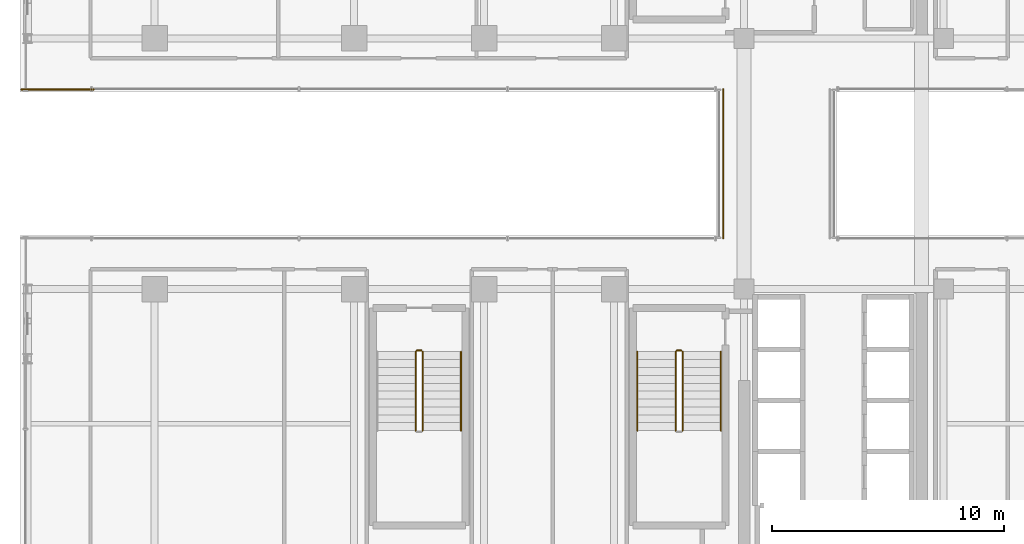
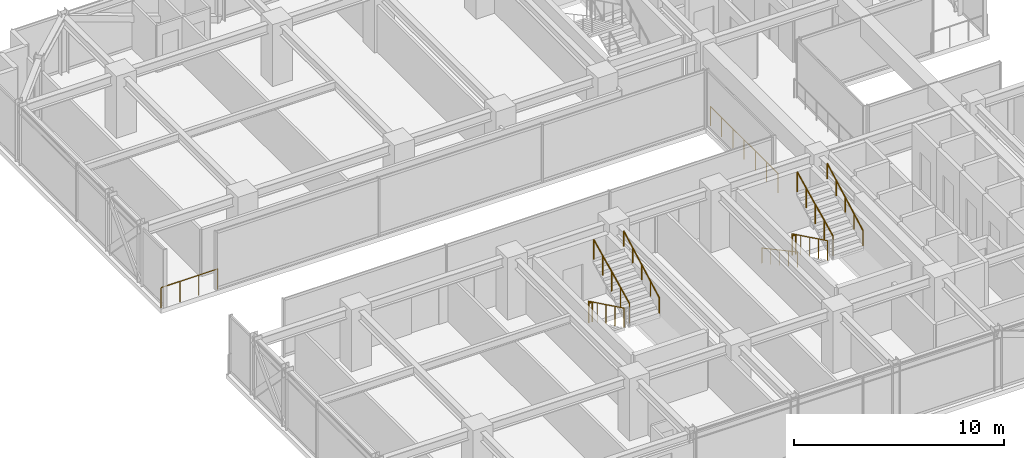
# One storey, part 36 of 38: 11 railings.
"""IFC4 building model written with IfcOpenShell, lengths in metres."""

from ifc_helpers import new_model, si_unit, direction, frame, origin, origin_2d, place, context, subcontext, project, spatial, circle, extrude, material, type_object, element, save


model = new_model("IFC4")

# Units and contexts
model_context = context("Model", 3, precision=1e-05, world=origin(), true_north=direction((0.0, 1.0)))
body_context = subcontext(model_context, "Body", "Model", "MODEL_VIEW")
ifc_project = project(units=[si_unit("LENGTHUNIT", "METRE"), si_unit("AREAUNIT", "SQUARE_METRE"), si_unit("VOLUMEUNIT", "CUBIC_METRE"), si_unit("PLANEANGLEUNIT", "RADIAN"), si_unit("MASSUNIT", "GRAM", prefix="KILO")], contexts=[model_context])

# Site, building, storey
site_placement = place(None, origin())
site = spatial("IfcSite", under=ifc_project, at=site_placement, CompositionType="ELEMENT")
building_placement = place(site_placement, origin())
building = spatial("IfcBuilding", under=site, at=building_placement, Name="Nahalor Promenade Grand Hotel", CompositionType="ELEMENT")
storey_placement = place(building_placement, frame((0.0, 0.0, 178.199951171875)))
storey = spatial("IfcBuildingStorey", under=building, at=storey_placement, Name="L45", CompositionType="ELEMENT", Elevation=178.199951171875)

# Railings
ifc_material_1 = material(Name="Anodised Bronze Aluminium EN AW-6063 T6", Category="aluminium")
railing_type_1 = type_object("IfcRailingType", Name="Bronze Balcony Guardrail 1200 mm", PredefinedType="GUARDRAIL", material=ifc_material_1)
railing_1_placement = place(storey_placement, frame((-22.739990234375, 3.199951171875, 0.0)))
element("IfcRailing", 1, at=railing_1_placement, inside=storey, type_object=railing_type_1, Name="L45 Oculus Void Edge Guardrail WN", PredefinedType="GUARDRAIL", context=body_context, shape_type="SweptSolid", body=[
    extrude(circle(Radius=0.024048, at=origin_2d()), frame((0.0, 0.0, 1.17578125), z_axis=(1.0, 0.0, 0.0), x_axis=(0.0, 1.0, 0.0)), (0.0, 0.0, 1.0), 3.119873046875),
    extrude(circle(Radius=0.020996, at=origin_2d()), origin(), (0.0, 0.0, 1.0), 1.14990234375),
    extrude(circle(Radius=0.020996, at=origin_2d()), frame((1.0400390625, 0.0, 0.0)), (0.0, 0.0, 1.0), 1.14990234375),
    extrude(circle(Radius=0.020996, at=origin_2d()), frame((2.079833984375, 0.0, 0.0)), (0.0, 0.0, 1.0), 1.14990234375),
    extrude(circle(Radius=0.020996, at=origin_2d()), frame((3.119873046875, 0.0, 0.0)), (0.0, 0.0, 1.0), 1.14990234375),
])
railing_type_2 = type_object("IfcRailingType", Name="Bronze Sky Balustrade 1150 mm", PredefinedType="BALUSTRADE", material=ifc_material_1)
railing_2_placement = place(storey_placement, frame((7.5, -3.219970703125, 0.0)))
element("IfcRailing", 2, at=railing_2_placement, inside=storey, type_object=railing_type_2, Name="BL-L45-BRG-W", PredefinedType="BALUSTRADE", context=body_context, shape_type="SweptSolid", body=[
    extrude(circle(Radius=0.024048, at=origin_2d()), frame((0.0, 0.0, 1.1259765625), z_axis=(0.0, 1.0, 0.0), x_axis=(-1.0, 0.0, 0.0)), (0.0, 0.0, 1.0), 6.43994140625),
    extrude(circle(Radius=0.020996, at=origin_2d()), origin(), (0.0, 0.0, 1.0), 1.099853515625),
    extrude(circle(Radius=0.020996, at=origin_2d()), frame((0.0, 1.0732421875, 0.0)), (0.0, 0.0, 1.0), 1.099853515625),
    extrude(circle(Radius=0.020996, at=origin_2d()), frame((0.0, 2.146728515625, 0.0)), (0.0, 0.0, 1.0), 1.099853515625),
    extrude(circle(Radius=0.020996, at=origin_2d()), frame((0.0, 3.219970703125, 0.0)), (0.0, 0.0, 1.0), 1.099853515625),
    extrude(circle(Radius=0.020996, at=origin_2d()), frame((0.0, 4.293212890625, 0.0)), (0.0, 0.0, 1.0), 1.099853515625),
    extrude(circle(Radius=0.020996, at=origin_2d()), frame((0.0, 5.36669921875, 0.0)), (0.0, 0.0, 1.0), 1.099853515625),
    extrude(circle(Radius=0.020996, at=origin_2d()), frame((0.0, 6.43994140625, 0.0)), (0.0, 0.0, 1.0), 1.099853515625),
])
ifc_material_2 = material(Name="Steel S355JR", Category="steel")
railing_type_3 = type_object("IfcRailingType", Name="Steel Stair Guardrail 1150 mm", PredefinedType="GUARDRAIL", material=ifc_material_2)
railing_3_placement = place(storey_placement, frame((5.449951171875, -8.10009765625, 0.166015625)))
element("IfcRailing", 3, at=railing_3_placement, inside=storey, type_object=railing_type_3, Name="L45 ST2 stair guard 1", PredefinedType="GUARDRAIL", context=body_context, shape_type="SweptSolid", body=[
    extrude(circle(Radius=0.024048, at=origin_2d()), frame((0.0, 0.0, 1.1259765625), z_axis=(0.0, -0.898721922897, 0.438518990814), x_axis=(1.0, 0.0, 0.0)), (0.0, 0.0, 1.0), 3.782958984375),
    extrude(circle(Radius=0.020996, at=origin_2d()), origin(), (0.0, 0.0, 1.0), 1.099853515625),
    extrude(circle(Radius=0.020996, at=origin_2d()), frame((0.0, -0.85009765625, 0.414794921875)), (0.0, 0.0, 1.0), 1.099853515625),
    extrude(circle(Radius=0.020996, at=origin_2d()), frame((0.0, -1.699951171875, 0.82958984375)), (0.0, 0.0, 1.0), 1.099853515625),
    extrude(circle(Radius=0.020996, at=origin_2d()), frame((0.0, -2.5498046875, 1.244140625)), (0.0, 0.0, 1.0), 1.099853515625),
    extrude(circle(Radius=0.020996, at=origin_2d()), frame((0.0, -3.39990234375, 1.658935546875)), (0.0, 0.0, 1.0), 1.099853515625),
])
railing_4_placement = place(storey_placement, frame((5.75, -11.5, 1.990966796875)))
element("IfcRailing", 4, at=railing_4_placement, inside=storey, type_object=railing_type_3, Name="L45 ST2 stair guard 3", PredefinedType="GUARDRAIL", context=body_context, shape_type="SweptSolid", body=[
    extrude(circle(Radius=0.024048, at=origin_2d()), frame((0.0, 0.0, 1.1259765625), z_axis=(0.0, 0.898696488221, 0.438571114028), x_axis=(-1.0, 0.0, 0.0)), (0.0, 0.0, 1.0), 3.783203125),
    extrude(circle(Radius=0.020996, at=origin_2d()), origin(), (0.0, 0.0, 1.0), 1.099853515625),
    extrude(circle(Radius=0.020996, at=origin_2d()), frame((0.0, 0.85009765625, 0.414794921875)), (0.0, 0.0, 1.0), 1.099853515625),
    extrude(circle(Radius=0.020996, at=origin_2d()), frame((0.0, 1.699951171875, 0.82958984375)), (0.0, 0.0, 1.0), 1.099853515625),
    extrude(circle(Radius=0.020996, at=origin_2d()), frame((0.0, 2.5498046875, 1.244384765625)), (0.0, 0.0, 1.0), 1.099853515625),
    extrude(circle(Radius=0.020996, at=origin_2d()), frame((0.0, 3.39990234375, 1.6591796875)), (0.0, 0.0, 1.0), 1.099853515625),
])
railing_5_placement = place(storey_placement, frame((5.5, -8.050048828125, 0.0)))
element("IfcRailing", 5, at=railing_5_placement, inside=storey, type_object=railing_type_3, Name="L45 ST2 stair guard 4", PredefinedType="GUARDRAIL", context=body_context, shape_type="SweptSolid", body=[
    extrude(circle(Radius=0.024048, at=origin_2d()), frame((0.0, 0.0, 1.1259765625), z_axis=(1.0, 0.0, 0.0), x_axis=(0.0, 1.0, 0.0)), (0.0, 0.0, 1.0), 0.199951171875),
    extrude(circle(Radius=0.020996, at=origin_2d()), origin(), (0.0, 0.0, 1.0), 1.099853515625),
    extrude(circle(Radius=0.020996, at=origin_2d()), frame((0.199951171875, 0.0, 0.0)), (0.0, 0.0, 1.0), 1.099853515625),
])
railing_6_placement = place(storey_placement, frame((-5.75, -8.10009765625, 0.166015625)))
element("IfcRailing", 6, at=railing_6_placement, inside=storey, type_object=railing_type_3, Name="L45 ST3 stair guard 1", PredefinedType="GUARDRAIL", context=body_context, shape_type="SweptSolid", body=[
    extrude(circle(Radius=0.024048, at=origin_2d()), frame((0.0, 0.0, 1.1259765625), z_axis=(0.0, -0.898721922897, 0.438518990814), x_axis=(1.0, 0.0, 0.0)), (0.0, 0.0, 1.0), 3.782958984375),
    extrude(circle(Radius=0.020996, at=origin_2d()), origin(), (0.0, 0.0, 1.0), 1.099853515625),
    extrude(circle(Radius=0.020996, at=origin_2d()), frame((0.0, -0.85009765625, 0.414794921875)), (0.0, 0.0, 1.0), 1.099853515625),
    extrude(circle(Radius=0.020996, at=origin_2d()), frame((0.0, -1.699951171875, 0.82958984375)), (0.0, 0.0, 1.0), 1.099853515625),
    extrude(circle(Radius=0.020996, at=origin_2d()), frame((0.0, -2.5498046875, 1.244140625)), (0.0, 0.0, 1.0), 1.099853515625),
    extrude(circle(Radius=0.020996, at=origin_2d()), frame((0.0, -3.39990234375, 1.658935546875)), (0.0, 0.0, 1.0), 1.099853515625),
])
railing_7_placement = place(storey_placement, frame((-5.449951171875, -11.5, 1.990966796875)))
element("IfcRailing", 7, at=railing_7_placement, inside=storey, type_object=railing_type_3, Name="L45 ST3 stair guard 3", PredefinedType="GUARDRAIL", context=body_context, shape_type="SweptSolid", body=[
    extrude(circle(Radius=0.024048, at=origin_2d()), frame((0.0, 0.0, 1.1259765625), z_axis=(0.0, 0.898696488221, 0.438571114028), x_axis=(-1.0, 0.0, 0.0)), (0.0, 0.0, 1.0), 3.783203125),
    extrude(circle(Radius=0.020996, at=origin_2d()), origin(), (0.0, 0.0, 1.0), 1.099853515625),
    extrude(circle(Radius=0.020996, at=origin_2d()), frame((0.0, 0.85009765625, 0.414794921875)), (0.0, 0.0, 1.0), 1.099853515625),
    extrude(circle(Radius=0.020996, at=origin_2d()), frame((0.0, 1.699951171875, 0.82958984375)), (0.0, 0.0, 1.0), 1.099853515625),
    extrude(circle(Radius=0.020996, at=origin_2d()), frame((0.0, 2.5498046875, 1.244384765625)), (0.0, 0.0, 1.0), 1.099853515625),
    extrude(circle(Radius=0.020996, at=origin_2d()), frame((0.0, 3.39990234375, 1.6591796875)), (0.0, 0.0, 1.0), 1.099853515625),
])
railing_8_placement = place(storey_placement, frame((-5.699951171875, -8.050048828125, 0.0)))
element("IfcRailing", 8, at=railing_8_placement, inside=storey, type_object=railing_type_3, Name="L45 ST3 stair guard 4", PredefinedType="GUARDRAIL", context=body_context, shape_type="SweptSolid", body=[
    extrude(circle(Radius=0.024048, at=origin_2d()), frame((0.0, 0.0, 1.1259765625), z_axis=(1.0, 0.0, 0.0), x_axis=(0.0, 1.0, 0.0)), (0.0, 0.0, 1.0), 0.199951171875),
    extrude(circle(Radius=0.020996, at=origin_2d()), origin(), (0.0, 0.0, 1.0), 1.099853515625),
    extrude(circle(Radius=0.020996, at=origin_2d()), frame((0.199951171875, 0.0, 0.0)), (0.0, 0.0, 1.0), 1.099853515625),
])
railing_type_4 = type_object("IfcRailingType", Name="Steel Stair Handrail 900 mm", PredefinedType="HANDRAIL", material=ifc_material_2)
railing_9_placement = place(storey_placement, frame((3.800048828125, -8.10009765625, 0.166015625)))
element("IfcRailing", 9, at=railing_9_placement, inside=storey, type_object=railing_type_4, Name="L45 ST2 stair handrail 1", PredefinedType="HANDRAIL", context=body_context, shape_type="SweptSolid", body=[
    extrude(circle(Radius=0.024048, at=origin_2d()), frame((0.0, 0.0, 0.8759765625), z_axis=(0.0, -0.881094038095, 0.47294111265), x_axis=(1.0, 0.0, 0.0)), (0.0, 0.0, 1.0), 3.858642578125),
    extrude(circle(Radius=0.020996, at=origin_2d()), origin(), (0.0, 0.0, 1.0), 0.849853515625),
    extrude(circle(Radius=0.020996, at=origin_2d()), frame((0.0, -0.85009765625, 0.456298828125)), (0.0, 0.0, 1.0), 0.849853515625),
    extrude(circle(Radius=0.020996, at=origin_2d()), frame((0.0, -1.699951171875, 0.91259765625)), (0.0, 0.0, 1.0), 0.849853515625),
    extrude(circle(Radius=0.020996, at=origin_2d()), frame((0.0, -2.5498046875, 1.36865234375)), (0.0, 0.0, 1.0), 0.849853515625),
    extrude(circle(Radius=0.020996, at=origin_2d()), frame((0.0, -3.39990234375, 1.824951171875)), (0.0, 0.0, 1.0), 0.849853515625),
])
for number, where, name in (
    (10, (7.39990234375, -11.5, 1.990966796875), "L45 ST2 stair handrail 2"),
    (11, (-3.800048828125, -11.5, 1.990966796875), "L45 ST3 stair handrail 2"),
):
    element("IfcRailing", number, at=place(storey_placement, frame(where)), inside=storey, type_object=railing_type_4, Name=name, PredefinedType="HANDRAIL", context=body_context, shape_type="SweptSolid", body=[
        extrude(circle(Radius=0.024048, at=origin_2d()), frame((0.0, 0.0, 0.8759765625), z_axis=(0.0, 0.881094038095, 0.47294111265), x_axis=(-1.0, 0.0, 0.0)), (0.0, 0.0, 1.0), 3.858642578125),
        extrude(circle(Radius=0.020996, at=origin_2d()), origin(), (0.0, 0.0, 1.0), 0.849853515625),
        extrude(circle(Radius=0.020996, at=origin_2d()), frame((0.0, 0.85009765625, 0.456298828125)), (0.0, 0.0, 1.0), 0.849853515625),
        extrude(circle(Radius=0.020996, at=origin_2d()), frame((0.0, 1.699951171875, 0.91259765625)), (0.0, 0.0, 1.0), 0.849853515625),
        extrude(circle(Radius=0.020996, at=origin_2d()), frame((0.0, 2.5498046875, 1.36865234375)), (0.0, 0.0, 1.0), 0.849853515625),
        extrude(circle(Radius=0.020996, at=origin_2d()), frame((0.0, 3.39990234375, 1.824951171875)), (0.0, 0.0, 1.0), 0.849853515625),
    ])

save(model, "model.ifc")
